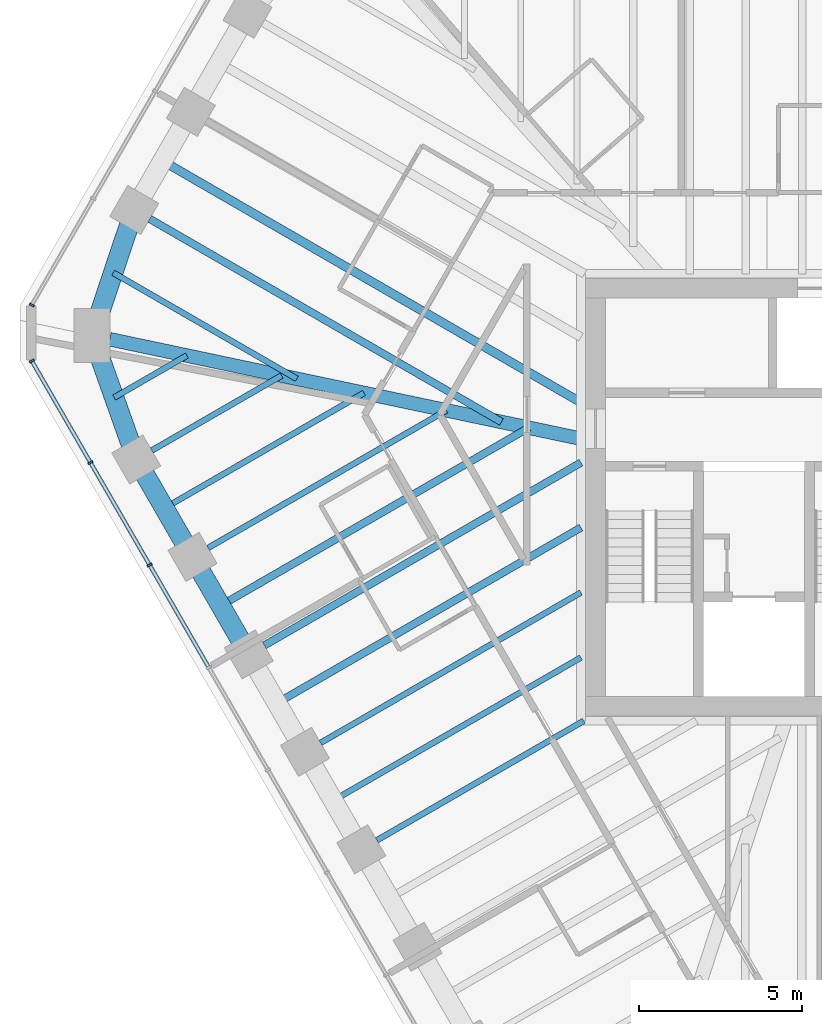
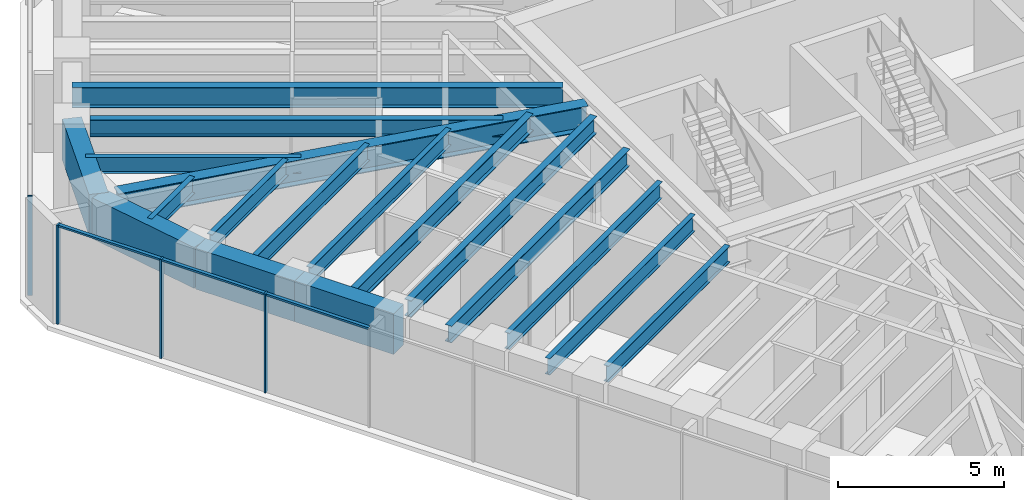
# One storey, part 3 of 14: 18 beams, 7 members, 2 elements without a shape of their own.
"""IFC4 building model written with IfcOpenShell, lengths in metres."""

from ifc_helpers import new_model, si_unit, direction, frame, origin, origin_2d, place, context, subcontext, project, spatial, rectangle, i_section, extrude, material, material_profile, profile_set, type_object, element, aggregate, save


model = new_model("IFC4")

# Units and contexts
model_context = context("Model", 3, precision=1e-05, world=origin(), true_north=direction((0.0, 1.0)))
body_context = subcontext(model_context, "Body", "Model", "MODEL_VIEW")
ifc_project = project(units=[si_unit("LENGTHUNIT", "METRE"), si_unit("AREAUNIT", "SQUARE_METRE"), si_unit("VOLUMEUNIT", "CUBIC_METRE"), si_unit("PLANEANGLEUNIT", "RADIAN"), si_unit("MASSUNIT", "GRAM", prefix="KILO")], contexts=[model_context])

# Site, building, storey
site_placement = place(None, origin())
site = spatial("IfcSite", under=ifc_project, at=site_placement, CompositionType="ELEMENT")
building_placement = place(site_placement, origin())
building = spatial("IfcBuilding", under=site, at=building_placement, Name="Sandreach Pilgrim Tower", CompositionType="ELEMENT")
storey_placement = place(building_placement, frame((0.0, 0.0, 291.199951171875)))
storey = spatial("IfcBuildingStorey", under=building, at=storey_placement, Name="L73", CompositionType="ELEMENT", Elevation=291.199951171875)

# Curtain wall, members
ifc_material_1 = material(Name="Aluminium framed curtain wall", Category="aluminium")
curtain_wall_type = type_object("IfcCurtainWallType", Name="Suite tower curtain wall", PredefinedType="NOTDEFINED", material=ifc_material_1)
curtain_wall_1_placement = place(storey_placement, origin())
curtain_wall_1 = element("IfcCurtainWall", 1, at=curtain_wall_1_placement, inside=storey, type_object=curtain_wall_type, Name="CW-4 L73 SW", PredefinedType="NOTDEFINED")
ifc_material_2 = material(Name="Aluminium extrusion", Category="aluminium")
ifc_material_profile_1 = material_profile(ifc_material_2, rectangle(XDim=0.06005859375, YDim=0.159912109375, at=origin_2d()), Name="CW-4M 60X160")
ifc_profile_set_1 = profile_set([ifc_material_profile_1], Name="Aluminium extrusion")
member_type_1 = type_object("IfcMemberType", Name="CW-4 mullion", PredefinedType="MULLION", material=ifc_profile_set_1)
member_1_placement = place(storey_placement, frame((-21.697509765625, -2.071533203125, 0.0), z_axis=(0.0, 0.0, 1.0), x_axis=(-0.5, 0.866025403784, 0.0)))
member_1 = element("IfcMember", 2, at=member_1_placement, type_object=member_type_1, Name="CW-4 mullion 8", PredefinedType="MULLION", context=body_context, shape_type="SweptSolid", body=[
    extrude(rectangle(XDim=0.06005859375, YDim=0.159912109375, at=origin_2d()), origin(), (0.0, 0.0, 1.0), 3.64013671875),
])
member_2_placement = place(storey_placement, frame((-23.508544921875, 1.06494140625, 0.0), z_axis=(0.0, 0.0, 1.0), x_axis=(-0.5, 0.866025403784, 0.0)))
member_2 = element("IfcMember", 3, at=member_2_placement, type_object=member_type_1, Name="CW-4 mullion 9", PredefinedType="MULLION", context=body_context, shape_type="SweptSolid", body=[
    extrude(rectangle(XDim=0.06005859375, YDim=0.159912109375, at=origin_2d()), origin(), (0.0, 0.0, 1.0), 3.64013671875),
])
member_3_placement = place(storey_placement, frame((-25.304443359375, 4.175537109375, 0.0), z_axis=(0.0, 0.0, 1.0), x_axis=(-0.5, 0.866025403784, 0.0)))
member_3 = element("IfcMember", 4, at=member_3_placement, type_object=member_type_1, Name="CW-4 mullion 10", PredefinedType="MULLION", context=body_context, shape_type="SweptSolid", body=[
    extrude(rectangle(XDim=0.06005859375, YDim=0.159912109375, at=origin_2d()), origin(), (0.0, 0.0, 1.0), 3.64013671875),
])

# Curtain wall, member
curtain_wall_2_placement = place(storey_placement, origin())
curtain_wall_2 = element("IfcCurtainWall", 5, at=curtain_wall_2_placement, inside=storey, type_object=curtain_wall_type, Name="CW-4 L73 NW", PredefinedType="NOTDEFINED")
member_4_placement = place(storey_placement, frame((-25.304443359375, 5.8876953125, 0.0), z_axis=(0.0, 0.0, 1.0), x_axis=(0.5, 0.866025403784, 0.0)))
member_4 = element("IfcMember", 6, at=member_4_placement, type_object=member_type_1, Name="CW-4 mullion 1", PredefinedType="MULLION", context=body_context, shape_type="SweptSolid", body=[
    extrude(rectangle(XDim=0.06005859375, YDim=0.159912109375, at=origin_2d()), origin(), (0.0, 0.0, 1.0), 3.64013671875),
])
aggregate(curtain_wall_2, [member_4])

# Member
ifc_material_3 = material(Name="Aluminium extrusion", Category="aluminium")
ifc_material_profile_2 = material_profile(ifc_material_3, rectangle(XDim=0.1201171875, YDim=0.070068359375, at=origin_2d()), Name="CW-4T 120X70")
ifc_profile_set_2 = profile_set([ifc_material_profile_2], Name="Aluminium extrusion")
member_type_2 = type_object("IfcMemberType", Name="CW-4 transom", PredefinedType="USERDEFINED", material=ifc_profile_set_2)
member_5_placement = place(storey_placement, frame((-19.901611328125, -5.182373046875, 3.60498046875), z_axis=(-0.500009219579, 0.866020080793, 0.0), x_axis=(-0.866020080793, -0.500009219579, 0.0)))
member_5 = element("IfcMember", 7, at=member_5_placement, type_object=member_type_2, Name="CW-4 head transom 7", ObjectType="TRANSOM", PredefinedType="USERDEFINED", context=body_context, shape_type="SweptSolid", body=[
    extrude(rectangle(XDim=0.1201171875, YDim=0.070068359375, at=origin_2d()), origin(), (0.0, 0.0, 1.0), 3.56201171875),
])

member_6_placement = place(storey_placement, frame((-21.71240234375, -2.045654296875, 3.60498046875), z_axis=(-0.500009219579, 0.866020080793, 0.0), x_axis=(-0.866020080793, -0.500009219579, 0.0)))
member_6 = element("IfcMember", 8, at=member_6_placement, type_object=member_type_2, Name="CW-4 head transom 8", ObjectType="TRANSOM", PredefinedType="USERDEFINED", context=body_context, shape_type="SweptSolid", body=[
    extrude(rectangle(XDim=0.1201171875, YDim=0.070068359375, at=origin_2d()), origin(), (0.0, 0.0, 1.0), 3.56201171875),
])

member_7_placement = place(storey_placement, frame((-23.5234375, 1.091064453125, 3.60498046875), z_axis=(-0.499997709859, 0.866026725994, 0.0), x_axis=(-0.866026725994, -0.499997709859, 0.0)))
member_7 = element("IfcMember", 9, at=member_7_placement, type_object=member_type_2, Name="CW-4 head transom 9", ObjectType="TRANSOM", PredefinedType="USERDEFINED", context=body_context, shape_type="SweptSolid", body=[
    extrude(rectangle(XDim=0.1201171875, YDim=0.070068359375, at=origin_2d()), origin(), (0.0, 0.0, 1.0), 3.53173828125),
])

aggregate(curtain_wall_1, [member_1, member_2, member_3, member_5, member_6, member_7])

# Beams
ifc_material_4 = material(Name="Steel ASTM A992 Grade 50", Category="steel")
ifc_material_profile_3 = material_profile(ifc_material_4, i_section(OverallWidth=0.419189453125, OverallDepth=0.927001953125, WebThickness=0.019287109375, FlangeThickness=0.031982421875, at=origin_2d()), Name="W36X231")
ifc_profile_set_3 = profile_set([ifc_material_profile_3], Name="Steel ASTM A992 Grade 50")
beam_type_1 = type_object("IfcBeamType", Name="Corner girder W36X231", PredefinedType="BEAM", material=ifc_profile_set_3)
beam_1_placement = place(storey_placement, frame((-22.917724609375, 4.838623046875, 3.176513671875), z_axis=(0.978430270369, -0.206577360876, 0.0), x_axis=(0.206577360876, 0.978430270369, 0.0)))
element("IfcBeam", 10, at=beam_1_placement, inside=storey, type_object=beam_type_1, Name="BM L73 CG35", PredefinedType="BEAM", context=body_context, shape_type="SweptSolid", body=[
    extrude(i_section(OverallWidth=0.419189453125, OverallDepth=0.927001953125, WebThickness=0.019287109375, FlangeThickness=0.031982421875, at=origin_2d()), origin(), (0.0, 0.0, 1.0), 14.888671875),
])
ifc_material_5 = material(Name="Steel ASTM A992 Grade 50", Category="steel")
ifc_material_profile_4 = material_profile(ifc_material_5, i_section(OverallWidth=0.1787109375, OverallDepth=0.60205078125, WebThickness=0.010986328125, FlangeThickness=0.014892578125, at=origin_2d()), Name="W24X62")
ifc_profile_set_4 = profile_set([ifc_material_profile_4], Name="Steel ASTM A992 Grade 50")
beam_type_2 = type_object("IfcBeamType", Name="Floor beam W24X62", PredefinedType="BEAM", material=ifc_profile_set_4)
beam_2_placement = place(storey_placement, frame((-14.741455078125, -10.5, 3.339111328125), z_axis=(0.866019920622, 0.500009496996, 0.0), x_axis=(-0.500009496996, 0.866019920622, 0.0)))
element("IfcBeam", 11, at=beam_2_placement, inside=storey, type_object=beam_type_2, Name="BM L73 F30", PredefinedType="BEAM", context=body_context, shape_type="SweptSolid", body=[
    extrude(i_section(OverallWidth=0.1787109375, OverallDepth=0.60205078125, WebThickness=0.010986328125, FlangeThickness=0.014892578125, at=origin_2d()), origin(), (0.0, 0.0, 1.0), 7.313232421875),
])
beam_3_placement = place(storey_placement, frame((-16.4638671875, -7.516357421875, 3.339111328125), z_axis=(0.866022580836, 0.500004889459, 0.0), x_axis=(-0.500004889459, 0.866022580836, 0.0)))
element("IfcBeam", 12, at=beam_3_placement, inside=storey, type_object=beam_type_2, Name="BM L73 F31", PredefinedType="BEAM", context=body_context, shape_type="SweptSolid", body=[
    extrude(i_section(OverallWidth=0.1787109375, OverallDepth=0.60205078125, WebThickness=0.010986328125, FlangeThickness=0.014892578125, at=origin_2d()), origin(), (0.0, 0.0, 1.0), 9.20361328125),
])
beam_4_placement = place(storey_placement, frame((-19.908935546875, -1.549560546875, 3.339111328125), z_axis=(0.866026819143, 0.499997548519, 0.0), x_axis=(-0.499997548519, 0.866026819143, 0.0)))
element("IfcBeam", 13, at=beam_4_placement, inside=storey, type_object=beam_type_2, Name="BM L73 F33", PredefinedType="BEAM", context=body_context, shape_type="SweptSolid", body=[
    extrude(i_section(OverallWidth=0.1787109375, OverallDepth=0.60205078125, WebThickness=0.010986328125, FlangeThickness=0.014892578125, at=origin_2d()), origin(), (0.0, 0.0, 1.0), 8.4248046875),
])
beam_5_placement = place(storey_placement, frame((-21.631591796875, 1.433837890625, 3.339111328125), z_axis=(0.866037621819, 0.499978837146, 0.0), x_axis=(-0.499978837146, 0.866037621819, 0.0)))
element("IfcBeam", 14, at=beam_5_placement, inside=storey, type_object=beam_type_2, Name="BM L73 F34", PredefinedType="BEAM", context=body_context, shape_type="SweptSolid", body=[
    extrude(i_section(OverallWidth=0.1787109375, OverallDepth=0.60205078125, WebThickness=0.010986328125, FlangeThickness=0.014892578125, at=origin_2d()), origin(), (0.0, 0.0, 1.0), 4.588623046875),
])
beam_6_placement = place(storey_placement, frame((-16.0791015625, -9.283203125, 3.339111328125), z_axis=(0.866023595995, 0.500003131169, 0.0), x_axis=(-0.500003131169, 0.866023595995, 0.0)))
element("IfcBeam", 15, at=beam_6_placement, inside=storey, type_object=beam_type_2, Name="BM L73 FM30", PredefinedType="BEAM", context=body_context, shape_type="SweptSolid", body=[
    extrude(i_section(OverallWidth=0.1787109375, OverallDepth=0.60205078125, WebThickness=0.010986328125, FlangeThickness=0.014892578125, at=origin_2d()), origin(), (0.0, 0.0, 1.0), 8.75927734375),
])
beam_7_placement = place(storey_placement, frame((-21.24658203125, -0.332763671875, 3.339111328125), z_axis=(0.866028878405, 0.499993981732, 0.0), x_axis=(-0.499993981732, 0.866028878405, 0.0)))
element("IfcBeam", 16, at=beam_7_placement, inside=storey, type_object=beam_type_2, Name="BM L73 FM33", PredefinedType="BEAM", context=body_context, shape_type="SweptSolid", body=[
    extrude(i_section(OverallWidth=0.1787109375, OverallDepth=0.60205078125, WebThickness=0.010986328125, FlangeThickness=0.014892578125, at=origin_2d()), origin(), (0.0, 0.0, 1.0), 7.056640625),
])
beam_8_placement = place(storey_placement, frame((-22.78173828125, 3.0556640625, 3.339111328125), z_axis=(0.8660004255, 0.500043261163, 0.0), x_axis=(-0.500043261163, 0.8660004255, 0.0)))
element("IfcBeam", 17, at=beam_8_placement, inside=storey, type_object=beam_type_2, Name="BM L73 FM34", PredefinedType="BEAM", context=body_context, shape_type="SweptSolid", body=[
    extrude(i_section(OverallWidth=0.1787109375, OverallDepth=0.60205078125, WebThickness=0.010986328125, FlangeThickness=0.014892578125, at=origin_2d()), origin(), (0.0, 0.0, 1.0), 2.569091796875),
])
beam_9_placement = place(storey_placement, frame((-22.8125, 6.875, 3.339111328125), z_axis=(0.866023980233, -0.500002465655, 0.0), x_axis=(0.500002465655, 0.866023980233, 0.0)))
element("IfcBeam", 18, at=beam_9_placement, inside=storey, type_object=beam_type_2, Name="BM L73 FM35", PredefinedType="BEAM", context=body_context, shape_type="SweptSolid", body=[
    extrude(i_section(OverallWidth=0.1787109375, OverallDepth=0.60205078125, WebThickness=0.010986328125, FlangeThickness=0.014892578125, at=origin_2d()), origin(), (0.0, 0.0, 1.0), 6.49072265625),
])
ifc_material_6 = material(Name="Steel ASTM A992 Grade 50", Category="steel")
ifc_material_profile_5 = material_profile(ifc_material_6, i_section(OverallWidth=0.23046875, OverallDepth=0.6171875, WebThickness=0.01318359375, FlangeThickness=0.022216796875, at=origin_2d()), Name="W24X94")
ifc_profile_set_5 = profile_set([ifc_material_profile_5], Name="Steel ASTM A992 Grade 50")
beam_type_3 = type_object("IfcBeamType", Name="Floor beam W24X94", PredefinedType="BEAM", material=ifc_profile_set_5)
beam_10_placement = place(storey_placement, frame((-18.1865234375, -4.532958984375, 3.33154296875), z_axis=(0.866030482771, 0.499991202833, 0.0), x_axis=(-0.499991202833, 0.866030482771, 0.0)))
element("IfcBeam", 19, at=beam_10_placement, inside=storey, type_object=beam_type_3, Name="BM L73 F32", PredefinedType="BEAM", context=body_context, shape_type="SweptSolid", body=[
    extrude(i_section(OverallWidth=0.23046875, OverallDepth=0.6171875, WebThickness=0.01318359375, FlangeThickness=0.022216796875, at=origin_2d()), origin(), (0.0, 0.0, 1.0), 11.192626953125),
])
beam_11_placement = place(storey_placement, frame((-21.69287109375, 8.522705078125, 3.33154296875), z_axis=(0.866028931402, -0.499993889937, 0.0), x_axis=(0.499993889937, 0.866028931402, 0.0)))
element("IfcBeam", 20, at=beam_11_placement, inside=storey, type_object=beam_type_3, Name="BM L73 F36", PredefinedType="BEAM", context=body_context, shape_type="SweptSolid", body=[
    extrude(i_section(OverallWidth=0.23046875, OverallDepth=0.6171875, WebThickness=0.01318359375, FlangeThickness=0.022216796875, at=origin_2d()), origin(), (0.0, 0.0, 1.0), 12.431396484375),
])
beam_12_placement = place(storey_placement, frame((-17.801513671875, -6.2998046875, 3.33154296875), z_axis=(0.866025958161, 0.49999903979, 0.0), x_axis=(-0.49999903979, 0.866025958161, 0.0)))
element("IfcBeam", 21, at=beam_12_placement, inside=storey, type_object=beam_type_3, Name="BM L73 FM31", PredefinedType="BEAM", context=body_context, shape_type="SweptSolid", body=[
    extrude(i_section(OverallWidth=0.23046875, OverallDepth=0.6171875, WebThickness=0.01318359375, FlangeThickness=0.022216796875, at=origin_2d()), origin(), (0.0, 0.0, 1.0), 10.748046875),
])
beam_13_placement = place(storey_placement, frame((-19.52392578125, -3.316162109375, 3.33154296875), z_axis=(0.866029205616, 0.499993414976, 0.0), x_axis=(-0.499993414976, 0.866029205616, 0.0)))
element("IfcBeam", 22, at=beam_13_placement, inside=storey, type_object=beam_type_3, Name="BM L73 FM32", PredefinedType="BEAM", context=body_context, shape_type="SweptSolid", body=[
    extrude(i_section(OverallWidth=0.23046875, OverallDepth=0.6171875, WebThickness=0.01318359375, FlangeThickness=0.022216796875, at=origin_2d()), origin(), (0.0, 0.0, 1.0), 10.893310546875),
])
ifc_material_7 = material(Name="Steel ASTM A992 Grade 50", Category="steel")
ifc_material_profile_6 = material_profile(ifc_material_7, i_section(OverallWidth=0.2666015625, OverallDepth=0.761962890625, WebThickness=0.014404296875, FlangeThickness=0.021484375, at=origin_2d()), Name="W30X116")
ifc_profile_set_6 = profile_set([ifc_material_profile_6], Name="Steel ASTM A992 Grade 50")
beam_type_4 = type_object("IfcBeamType", Name="Floor beam W30X116", PredefinedType="BEAM", material=ifc_profile_set_6)
beam_14_placement = place(storey_placement, frame((-21.302978515625, 10.29833984375, 3.259033203125), z_axis=(0.866028362181, -0.499994875871, 0.0), x_axis=(0.499994875871, 0.866028362181, 0.0)))
element("IfcBeam", 23, at=beam_14_placement, inside=storey, type_object=beam_type_4, Name="BM L73 FM36", PredefinedType="BEAM", context=body_context, shape_type="SweptSolid", body=[
    extrude(i_section(OverallWidth=0.2666015625, OverallDepth=0.761962890625, WebThickness=0.014404296875, FlangeThickness=0.021484375, at=origin_2d()), origin(), (0.0, 0.0, 1.0), 14.791259765625),
])
ifc_material_8 = material(Name="Concrete 10000 psi", Category="concrete")
ifc_material_profile_7 = material_profile(ifc_material_8, rectangle(XDim=0.60009765625, YDim=1.5, at=origin_2d()), Name="RC600X1500")
ifc_profile_set_7 = profile_set([ifc_material_profile_7], Name="Concrete 10000 psi")
beam_type_5 = type_object("IfcBeamType", Name="Spandrel beam RC600X1500", PredefinedType="SPANDREL", material=ifc_profile_set_7)
for number, where, z_axis, x_axis, name in (
    (24, (-18.662841796875, -4.80810546875, 2.89013671875), (-0.499957605418, 0.866049878924, 0.0), (-0.866049878924, -0.499957605418, 0.0), "BM L73 SP32"),
    (25, (-20.38525390625, -1.824462890625, 2.89013671875), (-0.500041441558, 0.866001476168, 0.0), (-0.866001476168, -0.500041441558, 0.0), "BM L73 SP33"),
):
    element("IfcBeam", number, at=place(storey_placement, frame(where, z_axis=z_axis, x_axis=x_axis)), inside=storey, type_object=beam_type_5, Name=name, PredefinedType="SPANDREL", context=body_context, shape_type="SweptSolid", body=[
        extrude(rectangle(XDim=0.60009765625, YDim=1.5, at=origin_2d()), origin(), (0.0, 0.0, 1.0), 3.445068359375),
    ])
beam_15_placement = place(storey_placement, frame((-22.10791015625, 1.158935546875, 2.89013671875), z_axis=(-0.33481464839, 0.94228400773, 0.0), x_axis=(-0.94228400773, -0.33481464839, 0.0)))
element("IfcBeam", 26, at=beam_15_placement, inside=storey, type_object=beam_type_5, Name="BM L73 SP34", PredefinedType="SPANDREL", context=body_context, shape_type="SweptSolid", body=[
    extrude(rectangle(XDim=0.60009765625, YDim=1.5, at=origin_2d()), origin(), (0.0, 0.0, 1.0), 4.02587890625),
])
beam_16_placement = place(storey_placement, frame((-23.455810546875, 4.952392578125, 2.89013671875), z_axis=(0.317293238289, 0.948327475578, 0.0), x_axis=(-0.948327475578, 0.317293238289, 0.0)))
element("IfcBeam", 27, at=beam_16_placement, inside=storey, type_object=beam_type_5, Name="BM L73 SP35", PredefinedType="SPANDREL", context=body_context, shape_type="SweptSolid", body=[
    extrude(rectangle(XDim=0.60009765625, YDim=1.5, at=origin_2d()), origin(), (0.0, 0.0, 1.0), 4.054931640625),
])

save(model, "model.ifc")
